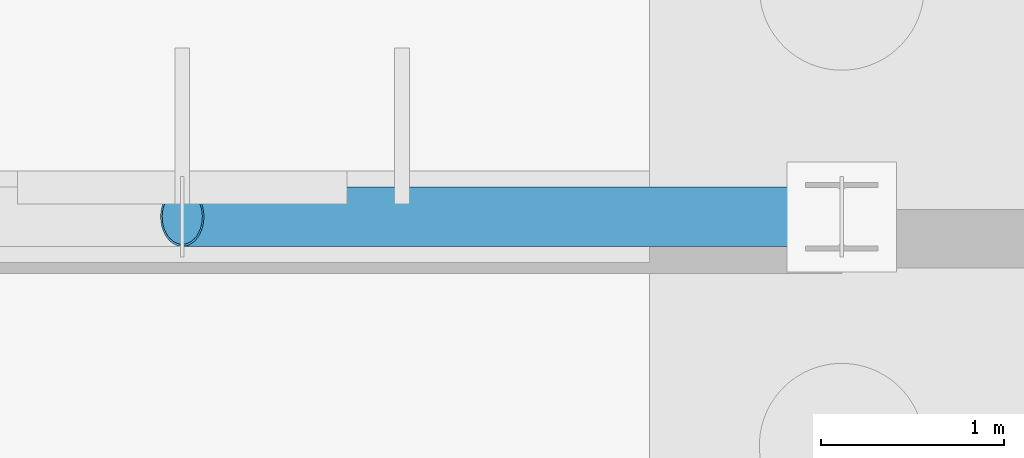
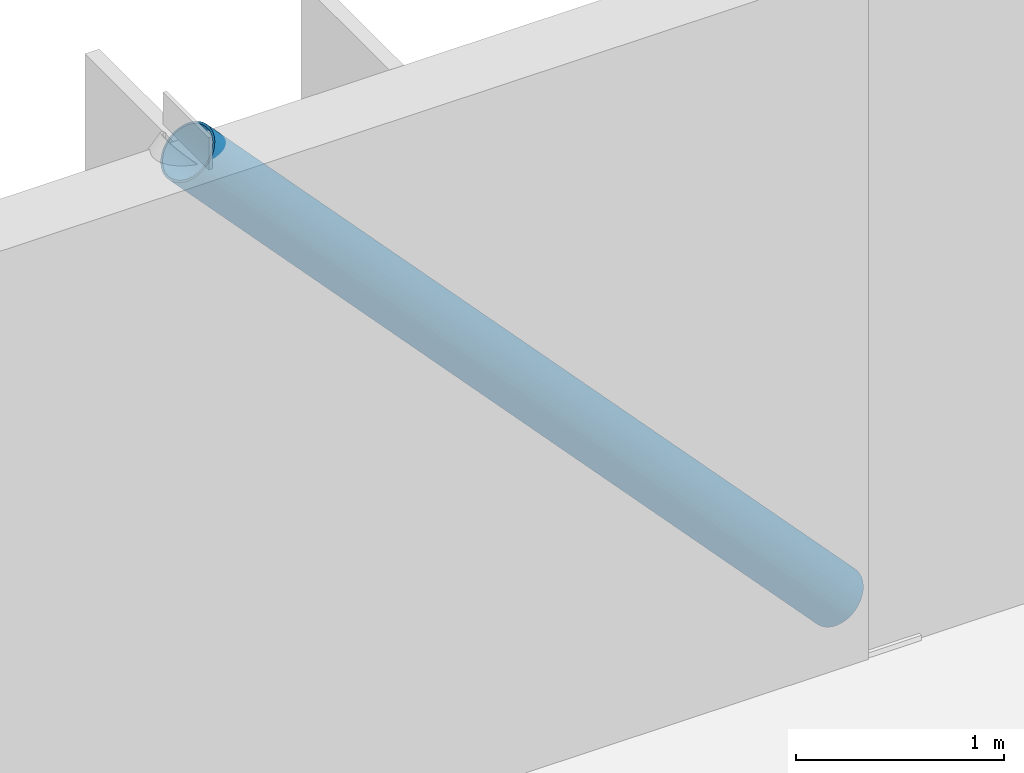
# One storey, part 45 of 118: 1 member.
"""IFC4 building model written with IfcOpenShell, lengths in metres."""

import ifcopenshell
import ifcopenshell.guid

model = None  # the IFC model being written
_history = None  # IfcOwnerHistory: only IFC2X3 demands one
_inside = {}  # id of a spatial element -> (the spatial element, [elements in it])
_under = {}  # id of a project, library or spatial element -> (it, [spatial elements below it])
_declared = {}  # id of a project -> (the project, [libraries it declares])
_typed = {}  # id of a type object -> (the type object, [elements of that type])
_made_of = {}  # id of a material, layer set ... -> (it, [elements and type objects made of it])


def new_model(schema):
    """Start an empty IFC model of exactly this schema.

    Asked for "IFC4X3", IfcOpenShell would pick the latest addendum, in which some entities
    have other attributes; the version numbers below select the first issue.
    IFC2X3 requires an IfcOwnerHistory on every rooted entity: one is made here for all.
    """
    global model, _history
    if schema == "IFC4X3":
        model = ifcopenshell.file(schema_version=(4, 3, 0, 0))
    else:
        model = ifcopenshell.file(schema=schema)
    _inside.clear()
    _under.clear()
    _declared.clear()
    _typed.clear()
    _made_of.clear()
    _history = None
    if model.schema == "IFC2X3":
        org = make("IfcOrganization", Name="unknown")
        user = make(
            "IfcPersonAndOrganization",
            ThePerson=make("IfcPerson", FamilyName="unknown"),
            TheOrganization=org,
        )
        app = make(
            "IfcApplication",
            ApplicationDeveloper=org,
            Version="unknown",
            ApplicationFullName="unknown",
            ApplicationIdentifier="unknown",
        )
        _history = make(
            "IfcOwnerHistory",
            OwningUser=user,
            OwningApplication=app,
            ChangeAction="ADDED",
            CreationDate=0,
        )
    return model


def make(cls, **values):
    """One entity of the class cls with the attributes given. An attribute that is None is left unset."""
    return model.create_entity(
        cls, **{name: value for name, value in values.items() if value is not None}
    )


def rooted(cls, **values):
    """An entity with a GlobalId (a new one), such as an element, a storey or a relation."""
    return make(cls, GlobalId=ifcopenshell.guid.new(), OwnerHistory=_history, **values)


def si_unit(unit_type, name, prefix=None):
    """IfcSIUnit, for example si_unit("LENGTHUNIT", "METRE", prefix="MILLI")."""
    return make("IfcSIUnit", UnitType=unit_type, Prefix=prefix, Name=name)


def assignment(units):
    """IfcUnitAssignment: the units of a project."""
    return None if units is None else make("IfcUnitAssignment", Units=units)


def point(xyz):
    """IfcCartesianPoint."""
    return None if xyz is None else make("IfcCartesianPoint", Coordinates=xyz)


def direction(xyz):
    """IfcDirection."""
    return None if xyz is None else make("IfcDirection", DirectionRatios=xyz)


def frame(location, z_axis=None, x_axis=None):
    """IfcAxis2Placement3D, a coordinate frame: its origin and axes. An axis left out is left unset."""
    return make(
        "IfcAxis2Placement3D",
        Location=point(location),
        Axis=direction(z_axis),
        RefDirection=direction(x_axis),
    )


def frame_2d(location, x_axis=None):
    """IfcAxis2Placement2D, a coordinate frame in the plane: its origin and x axis."""
    return make(
        "IfcAxis2Placement2D", Location=point(location), RefDirection=direction(x_axis)
    )


def origin():
    """The frame at (0, 0, 0) with its axes left unset."""
    return frame((0.0, 0.0, 0.0))


def origin_2d():
    """The frame at (0, 0) in the plane with its x axis left unset."""
    return frame_2d((0.0, 0.0))


def place(relative_to, where):
    """IfcLocalPlacement: puts the frame where relative to a parent placement (None: the world)."""
    return make(
        "IfcLocalPlacement", PlacementRelTo=relative_to, RelativePlacement=where
    )


def context(
    kind, dimensions, precision=None, world=None, true_north=None, identifier=None
):
    """IfcGeometricRepresentationContext, for example the 3D "Model" context."""
    return make(
        "IfcGeometricRepresentationContext",
        ContextIdentifier=identifier,
        ContextType=kind,
        CoordinateSpaceDimension=dimensions,
        Precision=precision,
        WorldCoordinateSystem=world,
        TrueNorth=true_north,
    )


def subcontext(parent, identifier, kind, view, scale=None):
    """IfcGeometricRepresentationSubContext, for example "Body" below "Model"."""
    return make(
        "IfcGeometricRepresentationSubContext",
        ContextIdentifier=identifier,
        ContextType=kind,
        ParentContext=parent,
        TargetScale=scale,
        TargetView=view,
    )


def project(units=None, contexts=None):
    """IfcProject with its units and contexts."""
    return rooted(
        "IfcProject",
        Name="project",
        RepresentationContexts=contexts,
        UnitsInContext=assignment(units),
    )


def spatial(cls, under=None, at=None, **own):
    """A site, building, storey or space (cls), placed at a placement, below another one or the project."""
    s = rooted(cls, ObjectPlacement=at, **own)
    if under is not None:
        _under.setdefault(under.id(), (under, []))[1].append(s)
    return s


def profile(cls, at=None, kind="AREA", **sizes):
    """A parametric profile (cls). Its sizes go by their IFC names, for example OverallWidth=200.0."""
    return make(cls, ProfileType=kind, Position=at, **sizes)


def hollow_circle(**sizes):
    """IfcCircleHollowProfileDef."""
    return profile("IfcCircleHollowProfileDef", **sizes)


def extrude(swept, where, along, depth):
    """IfcExtrudedAreaSolid: the profile swept, set in the frame where, extruded along a direction by depth."""
    return make(
        "IfcExtrudedAreaSolid",
        SweptArea=swept,
        Position=where,
        ExtrudedDirection=direction(along),
        Depth=depth,
    )


def shape(context_of_items, identifier, shape_type, items):
    """IfcShapeRepresentation: the items that make up one representation, for example the "Body"."""
    return make(
        "IfcShapeRepresentation",
        ContextOfItems=context_of_items,
        RepresentationIdentifier=identifier,
        RepresentationType=shape_type,
        Items=items,
    )


def material(Name=None, Category=None):
    """IfcMaterial."""
    return make("IfcMaterial", Name=Name, Category=Category)


def material_profile(
    of_material, cross_section, Name=None, Category=None, Priority=None
):
    """IfcMaterialProfile: a cross section and its material."""
    return make(
        "IfcMaterialProfile",
        Name=Name,
        Material=of_material,
        Profile=cross_section,
        Priority=Priority,
        Category=Category,
    )


def profile_set(profiles, Name=None, composite=None):
    """IfcMaterialProfileSet."""
    return make(
        "IfcMaterialProfileSet",
        Name=Name,
        MaterialProfiles=profiles,
        CompositeProfile=composite,
    )


def made_of(thing, what):
    """Note that an element or type object is made of a material, layer set ...; save() writes the relation."""
    if what is not None:
        _made_of.setdefault(what.id(), (what, []))[1].append(thing)
    return thing


def type_object(cls, material=None, **own):
    """A type object (cls), such as IfcWallType, which elements share."""
    return made_of(rooted(cls, **own), material)


def element(
    cls,
    number,
    at=None,
    inside=None,
    cuts=None,
    type_object=None,
    material=None,
    context=None,
    identifier="Body",
    shape_type=None,
    held_by="IfcProductDefinitionShape",
    body=None,
    shapes=None,
    **own,
):
    """One element of the class cls, such as IfcWall. Its Tag is "e" and its number.

    at: its placement. inside: the storey or other place that contains it. cuts: it is an
    opening in that element (IfcRelVoidsElement). A single representation is given by context,
    identifier, shape_type and body (its items); several are given by shapes. held_by: the class
    of the entity that holds the representations. save() writes the other relations.
    """
    e = rooted(cls, Tag="e%d" % number, ObjectPlacement=at, **own)
    if body is not None:
        shapes = [shape(context, identifier, shape_type, body)]
    if shapes is not None:
        e.Representation = make(held_by, Representations=shapes)
    if inside is not None:
        _inside.setdefault(inside.id(), (inside, []))[1].append(e)
    if cuts is not None:
        rooted(
            "IfcRelVoidsElement", RelatingBuildingElement=cuts, RelatedOpeningElement=e
        )
    if type_object is not None:
        _typed.setdefault(type_object.id(), (type_object, []))[1].append(e)
    return made_of(e, material)


def aggregate(whole, parts):
    """IfcRelAggregates: a whole, such as a stair, and the parts it consists of."""
    return rooted("IfcRelAggregates", RelatingObject=whole, RelatedObjects=parts)


def save(model, path):
    """Write the relations noted so far, then the file.

    IfcRelAggregates (storeys below a building ...), IfcRelContainedInSpatialStructure (elements
    in a storey), IfcRelDefinesByType, IfcRelAssociatesMaterial and IfcRelDeclares: one each for
    every whole, place, type object, material and project.
    """
    for whole, parts in _under.values():
        aggregate(whole, parts)
    for where, things in _inside.values():
        rooted(
            "IfcRelContainedInSpatialStructure",
            RelatedElements=things,
            RelatingStructure=where,
        )
    for kind, things in _typed.values():
        rooted("IfcRelDefinesByType", RelatedObjects=things, RelatingType=kind)
    for what, things in _made_of.values():
        rooted("IfcRelAssociatesMaterial", RelatedObjects=things, RelatingMaterial=what)
    for by, libraries in _declared.values():
        rooted("IfcRelDeclares", RelatingContext=by, RelatedDefinitions=libraries)
    model.write(path)


model = new_model("IFC4")

# Units and contexts
model_context = context("Model", 3, precision=1e-05, world=origin(), true_north=direction((0.0, 1.0)))
body_context = subcontext(model_context, "Body", "Model", "MODEL_VIEW")
ifc_project = project(units=[si_unit("LENGTHUNIT", "METRE"), si_unit("AREAUNIT", "SQUARE_METRE"), si_unit("VOLUMEUNIT", "CUBIC_METRE"), si_unit("PLANEANGLEUNIT", "RADIAN"), si_unit("MASSUNIT", "GRAM", prefix="KILO")], contexts=[model_context])

# Site, building, storey
site_placement = place(None, origin())
site = spatial("IfcSite", under=ifc_project, at=site_placement, CompositionType="ELEMENT")
building_placement = place(site_placement, origin())
building = spatial("IfcBuilding", under=site, at=building_placement, Name="Qelthora Terrace Specialist Clinic", CompositionType="ELEMENT")
storey_placement = place(building_placement, origin())
storey = spatial("IfcBuildingStorey", under=building, at=storey_placement, Name="L00", CompositionType="ELEMENT", Elevation=0.0)

# Member
ifc_material = material(Name="Steel S355", Category="steel")
ifc_material_profile = material_profile(ifc_material, hollow_circle(Radius=0.16162109375, WallThickness=0.011962890625, at=origin_2d()), Name="CHS323X12")
ifc_profile_set = profile_set([ifc_material_profile], Name="Steel S355")
member_type = type_object("IfcMemberType", Name="MEM-BRACE-CHS323", PredefinedType="BRACE", material=ifc_profile_set)
member_placement = place(storey_placement, frame((64.800048828125, 109.199951171875, 0.179931640625), z_axis=(-0.681102790765, 0.0, 0.732187809522), x_axis=(0.0, -1.0, 0.0)))
element("IfcMember", 1, at=member_placement, inside=storey, type_object=member_type, Name="Concentric seismic chevron brace B7-L00B", PredefinedType="BRACE", context=body_context, shape_type="SweptSolid", body=[
    extrude(hollow_circle(Radius=0.16162109375, WallThickness=0.011962890625, at=origin_2d()), origin(), (0.0, 0.0, 1.0), 5.28564453125),
])

save(model, "model.ifc")
